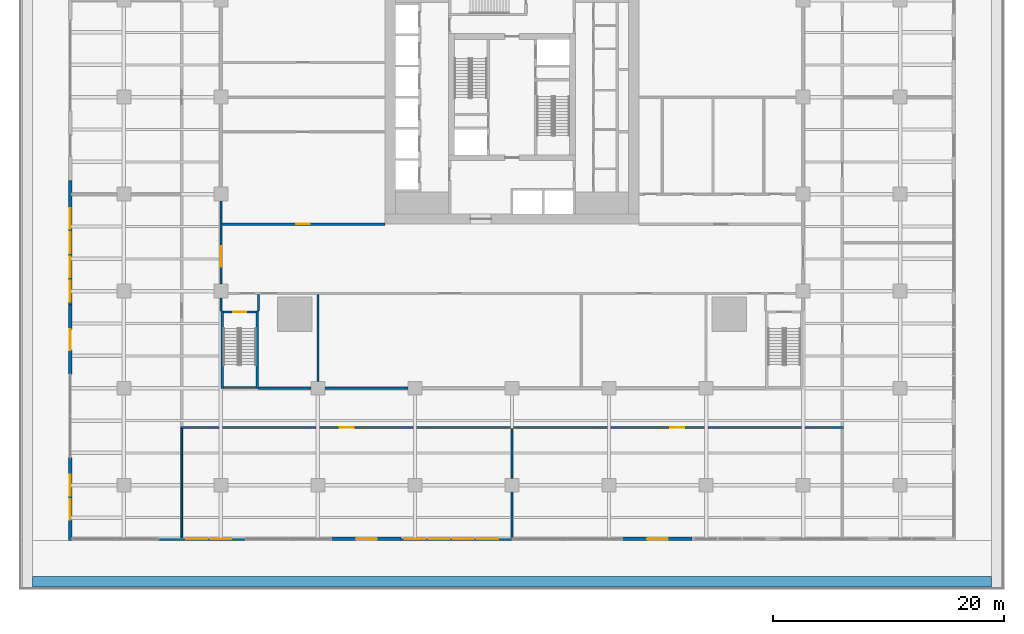
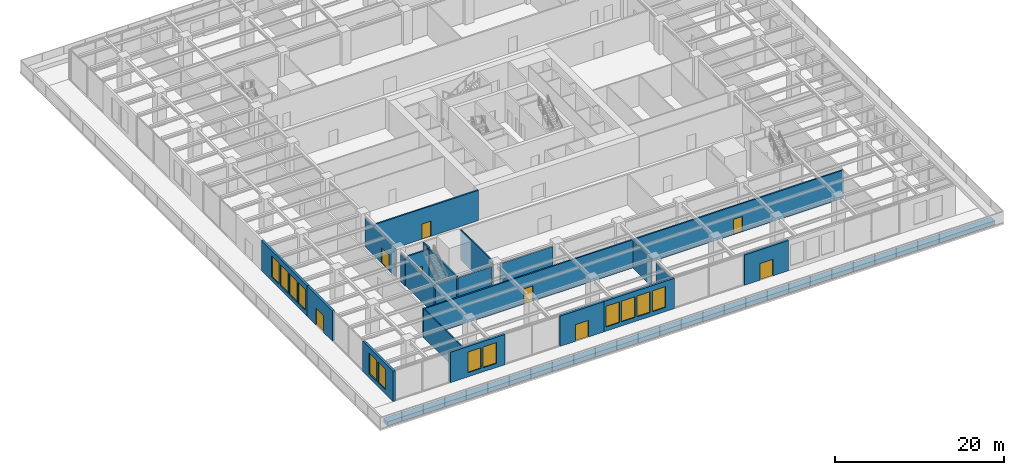
# One storey, part 16 of 32: 23 walls, 12 windows, 8 doors, 20 openings.
"""IFC4 building model written with IfcOpenShell, lengths in metres."""

import ifcopenshell
import ifcopenshell.guid

model = None  # the IFC model being written
_history = None  # IfcOwnerHistory: only IFC2X3 demands one
_inside = {}  # id of a spatial element -> (the spatial element, [elements in it])
_under = {}  # id of a project, library or spatial element -> (it, [spatial elements below it])
_declared = {}  # id of a project -> (the project, [libraries it declares])
_typed = {}  # id of a type object -> (the type object, [elements of that type])
_made_of = {}  # id of a material, layer set ... -> (it, [elements and type objects made of it])


def new_model(schema):
    """Start an empty IFC model of exactly this schema.

    Asked for "IFC4X3", IfcOpenShell would pick the latest addendum, in which some entities
    have other attributes; the version numbers below select the first issue.
    IFC2X3 requires an IfcOwnerHistory on every rooted entity: one is made here for all.
    """
    global model, _history
    if schema == "IFC4X3":
        model = ifcopenshell.file(schema_version=(4, 3, 0, 0))
    else:
        model = ifcopenshell.file(schema=schema)
    _inside.clear()
    _under.clear()
    _declared.clear()
    _typed.clear()
    _made_of.clear()
    _history = None
    if model.schema == "IFC2X3":
        org = make("IfcOrganization", Name="unknown")
        user = make(
            "IfcPersonAndOrganization",
            ThePerson=make("IfcPerson", FamilyName="unknown"),
            TheOrganization=org,
        )
        app = make(
            "IfcApplication",
            ApplicationDeveloper=org,
            Version="unknown",
            ApplicationFullName="unknown",
            ApplicationIdentifier="unknown",
        )
        _history = make(
            "IfcOwnerHistory",
            OwningUser=user,
            OwningApplication=app,
            ChangeAction="ADDED",
            CreationDate=0,
        )
    return model


def make(cls, **values):
    """One entity of the class cls with the attributes given. An attribute that is None is left unset."""
    return model.create_entity(
        cls, **{name: value for name, value in values.items() if value is not None}
    )


def rooted(cls, **values):
    """An entity with a GlobalId (a new one), such as an element, a storey or a relation."""
    return make(cls, GlobalId=ifcopenshell.guid.new(), OwnerHistory=_history, **values)


def si_unit(unit_type, name, prefix=None):
    """IfcSIUnit, for example si_unit("LENGTHUNIT", "METRE", prefix="MILLI")."""
    return make("IfcSIUnit", UnitType=unit_type, Prefix=prefix, Name=name)


def assignment(units):
    """IfcUnitAssignment: the units of a project."""
    return None if units is None else make("IfcUnitAssignment", Units=units)


def point(xyz):
    """IfcCartesianPoint."""
    return None if xyz is None else make("IfcCartesianPoint", Coordinates=xyz)


def direction(xyz):
    """IfcDirection."""
    return None if xyz is None else make("IfcDirection", DirectionRatios=xyz)


def frame(location, z_axis=None, x_axis=None):
    """IfcAxis2Placement3D, a coordinate frame: its origin and axes. An axis left out is left unset."""
    return make(
        "IfcAxis2Placement3D",
        Location=point(location),
        Axis=direction(z_axis),
        RefDirection=direction(x_axis),
    )


def frame_2d(location, x_axis=None):
    """IfcAxis2Placement2D, a coordinate frame in the plane: its origin and x axis."""
    return make(
        "IfcAxis2Placement2D", Location=point(location), RefDirection=direction(x_axis)
    )


def origin():
    """The frame at (0, 0, 0) with its axes left unset."""
    return frame((0.0, 0.0, 0.0))


def place(relative_to, where):
    """IfcLocalPlacement: puts the frame where relative to a parent placement (None: the world)."""
    return make(
        "IfcLocalPlacement", PlacementRelTo=relative_to, RelativePlacement=where
    )


def context(
    kind, dimensions, precision=None, world=None, true_north=None, identifier=None
):
    """IfcGeometricRepresentationContext, for example the 3D "Model" context."""
    return make(
        "IfcGeometricRepresentationContext",
        ContextIdentifier=identifier,
        ContextType=kind,
        CoordinateSpaceDimension=dimensions,
        Precision=precision,
        WorldCoordinateSystem=world,
        TrueNorth=true_north,
    )


def subcontext(parent, identifier, kind, view, scale=None):
    """IfcGeometricRepresentationSubContext, for example "Body" below "Model"."""
    return make(
        "IfcGeometricRepresentationSubContext",
        ContextIdentifier=identifier,
        ContextType=kind,
        ParentContext=parent,
        TargetScale=scale,
        TargetView=view,
    )


def project(units=None, contexts=None):
    """IfcProject with its units and contexts."""
    return rooted(
        "IfcProject",
        Name="project",
        RepresentationContexts=contexts,
        UnitsInContext=assignment(units),
    )


def spatial(cls, under=None, at=None, **own):
    """A site, building, storey or space (cls), placed at a placement, below another one or the project."""
    s = rooted(cls, ObjectPlacement=at, **own)
    if under is not None:
        _under.setdefault(under.id(), (under, []))[1].append(s)
    return s


def profile(cls, at=None, kind="AREA", **sizes):
    """A parametric profile (cls). Its sizes go by their IFC names, for example OverallWidth=200.0."""
    return make(cls, ProfileType=kind, Position=at, **sizes)


def rectangle(**sizes):
    """IfcRectangleProfileDef."""
    return profile("IfcRectangleProfileDef", **sizes)


def extrude(swept, where, along, depth):
    """IfcExtrudedAreaSolid: the profile swept, set in the frame where, extruded along a direction by depth."""
    return make(
        "IfcExtrudedAreaSolid",
        SweptArea=swept,
        Position=where,
        ExtrudedDirection=direction(along),
        Depth=depth,
    )


def shape(context_of_items, identifier, shape_type, items):
    """IfcShapeRepresentation: the items that make up one representation, for example the "Body"."""
    return make(
        "IfcShapeRepresentation",
        ContextOfItems=context_of_items,
        RepresentationIdentifier=identifier,
        RepresentationType=shape_type,
        Items=items,
    )


def material(Name=None, Category=None):
    """IfcMaterial."""
    return make("IfcMaterial", Name=Name, Category=Category)


def layer(
    of_material, thickness, ventilated=None, Name=None, Category=None, Priority=None
):
    """IfcMaterialLayer: one layer of a wall or slab, of a material (None: an air gap)."""
    return make(
        "IfcMaterialLayer",
        Material=of_material,
        LayerThickness=thickness,
        IsVentilated=ventilated,
        Name=Name,
        Category=Category,
        Priority=Priority,
    )


def layer_set(layers, Name=None):
    """IfcMaterialLayerSet."""
    return make("IfcMaterialLayerSet", MaterialLayers=layers, LayerSetName=Name)


def made_of(thing, what):
    """Note that an element or type object is made of a material, layer set ...; save() writes the relation."""
    if what is not None:
        _made_of.setdefault(what.id(), (what, []))[1].append(thing)
    return thing


def type_object(cls, material=None, **own):
    """A type object (cls), such as IfcWallType, which elements share."""
    return made_of(rooted(cls, **own), material)


def element(
    cls,
    number,
    at=None,
    inside=None,
    cuts=None,
    type_object=None,
    material=None,
    context=None,
    identifier="Body",
    shape_type=None,
    held_by="IfcProductDefinitionShape",
    body=None,
    shapes=None,
    **own,
):
    """One element of the class cls, such as IfcWall. Its Tag is "e" and its number.

    at: its placement. inside: the storey or other place that contains it. cuts: it is an
    opening in that element (IfcRelVoidsElement). A single representation is given by context,
    identifier, shape_type and body (its items); several are given by shapes. held_by: the class
    of the entity that holds the representations. save() writes the other relations.
    """
    e = rooted(cls, Tag="e%d" % number, ObjectPlacement=at, **own)
    if body is not None:
        shapes = [shape(context, identifier, shape_type, body)]
    if shapes is not None:
        e.Representation = make(held_by, Representations=shapes)
    if inside is not None:
        _inside.setdefault(inside.id(), (inside, []))[1].append(e)
    if cuts is not None:
        rooted(
            "IfcRelVoidsElement", RelatingBuildingElement=cuts, RelatedOpeningElement=e
        )
    if type_object is not None:
        _typed.setdefault(type_object.id(), (type_object, []))[1].append(e)
    return made_of(e, material)


def fill(opening, filler):
    """IfcRelFillsElement: the door or window that sits in an opening."""
    return rooted(
        "IfcRelFillsElement",
        RelatingOpeningElement=opening,
        RelatedBuildingElement=filler,
    )


def aggregate(whole, parts):
    """IfcRelAggregates: a whole, such as a stair, and the parts it consists of."""
    return rooted("IfcRelAggregates", RelatingObject=whole, RelatedObjects=parts)


def save(model, path):
    """Write the relations noted so far, then the file.

    IfcRelAggregates (storeys below a building ...), IfcRelContainedInSpatialStructure (elements
    in a storey), IfcRelDefinesByType, IfcRelAssociatesMaterial and IfcRelDeclares: one each for
    every whole, place, type object, material and project.
    """
    for whole, parts in _under.values():
        aggregate(whole, parts)
    for where, things in _inside.values():
        rooted(
            "IfcRelContainedInSpatialStructure",
            RelatedElements=things,
            RelatingStructure=where,
        )
    for kind, things in _typed.values():
        rooted("IfcRelDefinesByType", RelatedObjects=things, RelatingType=kind)
    for what, things in _made_of.values():
        rooted("IfcRelAssociatesMaterial", RelatedObjects=things, RelatingMaterial=what)
    for by, libraries in _declared.values():
        rooted("IfcRelDeclares", RelatingContext=by, RelatedDefinitions=libraries)
    model.write(path)


model = new_model("IFC4")

# Units and contexts
model_context = context("Model", 3, precision=1e-05, world=origin(), true_north=direction((0.0, 1.0)))
body_context = subcontext(model_context, "Body", "Model", "MODEL_VIEW")
ifc_project = project(units=[si_unit("LENGTHUNIT", "METRE"), si_unit("AREAUNIT", "SQUARE_METRE"), si_unit("VOLUMEUNIT", "CUBIC_METRE"), si_unit("PLANEANGLEUNIT", "RADIAN"), si_unit("MASSUNIT", "GRAM", prefix="KILO")], contexts=[model_context])

# Site, building, storey
site_placement = place(None, origin())
site = spatial("IfcSite", under=ifc_project, at=site_placement, CompositionType="ELEMENT")
building_placement = place(site_placement, origin())
building = spatial("IfcBuilding", under=site, at=building_placement, Name="Khepri Terraces", CompositionType="ELEMENT")
storey_placement = place(building_placement, frame((0.0, 0.0, 12.0)))
storey = spatial("IfcBuildingStorey", under=building, at=storey_placement, Name="L02", CompositionType="ELEMENT", Elevation=12.0)

# Wall, openings, windows
ifc_material_1 = material(Name="Precast concrete C50/60 warm stone", Category="masonry")
ifc_layer_1 = layer(ifc_material_1, 0.300048828125, Name="Precast concrete C50/60 warm stone", Category="masonry")
ifc_layer_set_1 = layer_set([ifc_layer_1], Name="Precast concrete C50/60 warm stone")
wall_type_1 = type_object("IfcWallType", Name="WL-EXT-PRECAST-300", PredefinedType="STANDARD", material=ifc_layer_set_1)
wall_1_placement = place(storey_placement, frame((-30.60009765625, -38.25, 0.0), z_axis=(0.0, 0.0, 1.0), x_axis=(1.0, 0.0, 0.0)))
wall_1 = element("IfcWall", 1, at=wall_1_placement, inside=storey, type_object=wall_type_1, Name="External wall L02 S", PredefinedType="STANDARD", context=body_context, shape_type="SweptSolid", body=[
    extrude(rectangle(XDim=7.5, YDim=0.300048828125, at=frame_2d((3.75, 0.0))), origin(), (0.0, 0.0, 1.0), 4.3798828125),
])
opening_1_placement = place(wall_1_placement, frame((2.39990234375, 0.0, 0.60009765625)))
opening_1 = element("IfcOpeningElement", 2, at=opening_1_placement, cuts=wall_1, Name="Opening WP1", PredefinedType="OPENING", context=body_context, shape_type="SweptSolid", body=[
    extrude(rectangle(XDim=1.800048828125, YDim=3.0, at=frame_2d((0.89990234375, 1.5))), frame((0.0, 0.16015625, 0.0), z_axis=(0.0, -1.0, 0.0), x_axis=(1.0, 0.0, 0.0)), (0.0, 0.0, 1.0), 0.320068359375),
])
opening_2_placement = place(wall_1_placement, frame((4.5, 0.0, 0.60009765625)))
opening_2 = element("IfcOpeningElement", 3, at=opening_2_placement, cuts=wall_1, Name="Opening WP1", PredefinedType="OPENING", context=body_context, shape_type="SweptSolid", body=[
    extrude(rectangle(XDim=1.800048828125, YDim=3.0, at=frame_2d((0.89990234375, 1.5))), frame((0.0, 0.16015625, 0.0), z_axis=(0.0, -1.0, 0.0), x_axis=(1.0, 0.0, 0.0)), (0.0, 0.0, 1.0), 0.320068359375),
])
ifc_material_2 = material(Name="Clear glass", Category="glass")
window_type = type_object("IfcWindowType", Name="WIN-POD-1800x3000", PartitioningType="SINGLE_PANEL", PredefinedType="WINDOW", material=ifc_material_2)
window_1_placement = place(opening_1_placement, origin())
window_1 = element("IfcWindow", 4, at=window_1_placement, inside=storey, type_object=window_type, Name="Window L02 S", OverallHeight=3.0, OverallWidth=1.800048828125, PartitioningType="SINGLE_PANEL", PredefinedType="WINDOW", context=body_context, shape_type="SweptSolid", body=[
    extrude(rectangle(XDim=1.800048828125, YDim=3.0, at=frame_2d((0.89990234375, 1.5))), frame((0.0, 0.030029296875, 0.0), z_axis=(0.0, -1.0, 0.0), x_axis=(1.0, 0.0, 0.0)), (0.0, 0.0, 1.0), 0.06005859375),
])
fill(opening_1, window_1)
window_2_placement = place(opening_2_placement, origin())
window_2 = element("IfcWindow", 5, at=window_2_placement, inside=storey, type_object=window_type, Name="Window L02 S", OverallHeight=3.0, OverallWidth=1.800048828125, PartitioningType="SINGLE_PANEL", PredefinedType="WINDOW", context=body_context, shape_type="SweptSolid", body=[
    extrude(rectangle(XDim=1.800048828125, YDim=3.0, at=frame_2d((0.89990234375, 1.5))), frame((0.0, 0.030029296875, 0.0), z_axis=(0.0, -1.0, 0.0), x_axis=(1.0, 0.0, 0.0)), (0.0, 0.0, 1.0), 0.06005859375),
])
fill(opening_2, window_2)

# Wall, opening, door
wall_2_placement = place(storey_placement, frame((-15.60009765625, -38.25, 0.0), z_axis=(0.0, 0.0, 1.0), x_axis=(1.0, 0.0, 0.0)))
wall_2 = element("IfcWall", 6, at=wall_2_placement, inside=storey, type_object=wall_type_1, Name="External wall L02 S", PredefinedType="STANDARD", context=body_context, shape_type="SweptSolid", body=[
    extrude(rectangle(XDim=6.0, YDim=0.300048828125, at=frame_2d((3.0, 0.0))), origin(), (0.0, 0.0, 1.0), 4.3798828125),
])
opening_3_placement = place(wall_2_placement, frame((2.10009765625, 0.0, 0.0)))
opening_3 = element("IfcOpeningElement", 7, at=opening_3_placement, cuts=wall_2, Name="Opening ED-L02-01", PredefinedType="OPENING", context=body_context, shape_type="SweptSolid", body=[
    extrude(rectangle(XDim=1.800048828125, YDim=2.39990234375, at=frame_2d((0.89990234375, 1.199951171875))), frame((0.0, 0.16015625, 0.0), z_axis=(0.0, -1.0, 0.0), x_axis=(1.0, 0.0, 0.0)), (0.0, 0.0, 1.0), 0.320068359375),
])
ifc_material_3 = material(Name="Anodised aluminium bronze glazed door", Category="aluminium")
door_type_1 = type_object("IfcDoorType", Name="DR-BAL-SLIDE-1800x2400", OperationType="NOTDEFINED", PredefinedType="DOOR", material=ifc_material_3)
door_1_placement = place(opening_3_placement, origin())
door_1 = element("IfcDoor", 8, at=door_1_placement, inside=storey, type_object=door_type_1, Name="Balcony door L02 S", OperationType="SLIDING_TO_RIGHT", OverallHeight=2.39990234375, OverallWidth=1.800048828125, PredefinedType="DOOR", context=body_context, shape_type="SweptSolid", body=[
    extrude(rectangle(XDim=1.800048828125, YDim=2.39990234375, at=frame_2d((0.89990234375, 1.199951171875))), frame((0.0, 0.02490234375, 0.0), z_axis=(0.0, -1.0, 0.0), x_axis=(1.0, 0.0, 0.0)), (0.0, 0.0, 1.0), 0.050048828125),
])
fill(opening_3, door_1)

# Wall, openings, windows
wall_3_placement = place(storey_placement, frame((-9.60009765625, -38.25, 0.0), z_axis=(0.0, 0.0, 1.0), x_axis=(1.0, 0.0, 0.0)))
wall_3 = element("IfcWall", 9, at=wall_3_placement, inside=storey, type_object=wall_type_1, Name="External wall L02 S", PredefinedType="STANDARD", context=body_context, shape_type="SweptSolid", body=[
    extrude(rectangle(XDim=9.60009765625, YDim=0.300048828125, at=frame_2d((4.800048828125, 0.0))), origin(), (0.0, 0.0, 1.0), 4.3798828125),
])
opening_4_placement = place(wall_3_placement, frame((0.300048828125, 0.0, 0.60009765625)))
opening_4 = element("IfcOpeningElement", 10, at=opening_4_placement, cuts=wall_3, Name="Opening WP1", PredefinedType="OPENING", context=body_context, shape_type="SweptSolid", body=[
    extrude(rectangle(XDim=1.800048828125, YDim=3.0, at=frame_2d((0.89990234375, 1.5))), frame((0.0, 0.16015625, 0.0), z_axis=(0.0, -1.0, 0.0), x_axis=(1.0, 0.0, 0.0)), (0.0, 0.0, 1.0), 0.320068359375),
])
opening_5_placement = place(wall_3_placement, frame((2.39990234375, 0.0, 0.60009765625)))
opening_5 = element("IfcOpeningElement", 11, at=opening_5_placement, cuts=wall_3, Name="Opening WP1", PredefinedType="OPENING", context=body_context, shape_type="SweptSolid", body=[
    extrude(rectangle(XDim=1.800048828125, YDim=3.0, at=frame_2d((0.89990234375, 1.5))), frame((0.0, 0.16015625, 0.0), z_axis=(0.0, -1.0, 0.0), x_axis=(1.0, 0.0, 0.0)), (0.0, 0.0, 1.0), 0.320068359375),
])
opening_6_placement = place(wall_3_placement, frame((4.5, 0.0, 0.60009765625)))
opening_6 = element("IfcOpeningElement", 12, at=opening_6_placement, cuts=wall_3, Name="Opening WP1", PredefinedType="OPENING", context=body_context, shape_type="SweptSolid", body=[
    extrude(rectangle(XDim=1.800048828125, YDim=3.0, at=frame_2d((0.89990234375, 1.5))), frame((0.0, 0.16015625, 0.0), z_axis=(0.0, -1.0, 0.0), x_axis=(1.0, 0.0, 0.0)), (0.0, 0.0, 1.0), 0.320068359375),
])
opening_7_placement = place(wall_3_placement, frame((6.60009765625, 0.0, 0.60009765625)))
opening_7 = element("IfcOpeningElement", 13, at=opening_7_placement, cuts=wall_3, Name="Opening WP1", PredefinedType="OPENING", context=body_context, shape_type="SweptSolid", body=[
    extrude(rectangle(XDim=1.800048828125, YDim=3.0, at=frame_2d((0.89990234375, 1.5))), frame((0.0, 0.16015625, 0.0), z_axis=(0.0, -1.0, 0.0), x_axis=(1.0, 0.0, 0.0)), (0.0, 0.0, 1.0), 0.320068359375),
])
window_3_placement = place(opening_4_placement, origin())
window_3 = element("IfcWindow", 14, at=window_3_placement, inside=storey, type_object=window_type, Name="Window L02 S", OverallHeight=3.0, OverallWidth=1.800048828125, PartitioningType="SINGLE_PANEL", PredefinedType="WINDOW", context=body_context, shape_type="SweptSolid", body=[
    extrude(rectangle(XDim=1.800048828125, YDim=3.0, at=frame_2d((0.89990234375, 1.5))), frame((0.0, 0.030029296875, 0.0), z_axis=(0.0, -1.0, 0.0), x_axis=(1.0, 0.0, 0.0)), (0.0, 0.0, 1.0), 0.06005859375),
])
fill(opening_4, window_3)
window_4_placement = place(opening_5_placement, origin())
window_4 = element("IfcWindow", 15, at=window_4_placement, inside=storey, type_object=window_type, Name="Window L02 S", OverallHeight=3.0, OverallWidth=1.800048828125, PartitioningType="SINGLE_PANEL", PredefinedType="WINDOW", context=body_context, shape_type="SweptSolid", body=[
    extrude(rectangle(XDim=1.800048828125, YDim=3.0, at=frame_2d((0.89990234375, 1.5))), frame((0.0, 0.030029296875, 0.0), z_axis=(0.0, -1.0, 0.0), x_axis=(1.0, 0.0, 0.0)), (0.0, 0.0, 1.0), 0.06005859375),
])
fill(opening_5, window_4)
window_5_placement = place(opening_6_placement, origin())
window_5 = element("IfcWindow", 16, at=window_5_placement, inside=storey, type_object=window_type, Name="Window L02 S", OverallHeight=3.0, OverallWidth=1.800048828125, PartitioningType="SINGLE_PANEL", PredefinedType="WINDOW", context=body_context, shape_type="SweptSolid", body=[
    extrude(rectangle(XDim=1.800048828125, YDim=3.0, at=frame_2d((0.89990234375, 1.5))), frame((0.0, 0.030029296875, 0.0), z_axis=(0.0, -1.0, 0.0), x_axis=(1.0, 0.0, 0.0)), (0.0, 0.0, 1.0), 0.06005859375),
])
fill(opening_6, window_5)
window_6_placement = place(opening_7_placement, origin())
window_6 = element("IfcWindow", 17, at=window_6_placement, inside=storey, type_object=window_type, Name="Window L02 S", OverallHeight=3.0, OverallWidth=1.800048828125, PartitioningType="SINGLE_PANEL", PredefinedType="WINDOW", context=body_context, shape_type="SweptSolid", body=[
    extrude(rectangle(XDim=1.800048828125, YDim=3.0, at=frame_2d((0.89990234375, 1.5))), frame((0.0, 0.030029296875, 0.0), z_axis=(0.0, -1.0, 0.0), x_axis=(1.0, 0.0, 0.0)), (0.0, 0.0, 1.0), 0.06005859375),
])
fill(opening_7, window_6)

# Wall, opening, door
wall_4_placement = place(storey_placement, frame((9.60009765625, -38.25, 0.0), z_axis=(0.0, 0.0, 1.0), x_axis=(1.0, 0.0, 0.0)))
wall_4 = element("IfcWall", 18, at=wall_4_placement, inside=storey, type_object=wall_type_1, Name="External wall L02 S", PredefinedType="STANDARD", context=body_context, shape_type="SweptSolid", body=[
    extrude(rectangle(XDim=6.0, YDim=0.300048828125, at=frame_2d((3.0, 0.0))), origin(), (0.0, 0.0, 1.0), 4.3798828125),
])
opening_8_placement = place(wall_4_placement, frame((2.10009765625, 0.0, 0.0)))
opening_8 = element("IfcOpeningElement", 19, at=opening_8_placement, cuts=wall_4, Name="Opening ED-L02-02", PredefinedType="OPENING", context=body_context, shape_type="SweptSolid", body=[
    extrude(rectangle(XDim=1.800048828125, YDim=2.39990234375, at=frame_2d((0.89990234375, 1.199951171875))), frame((0.0, 0.16015625, 0.0), z_axis=(0.0, -1.0, 0.0), x_axis=(1.0, 0.0, 0.0)), (0.0, 0.0, 1.0), 0.320068359375),
])
door_2_placement = place(opening_8_placement, origin())
door_2 = element("IfcDoor", 20, at=door_2_placement, inside=storey, type_object=door_type_1, Name="Balcony door L02 S", OperationType="SLIDING_TO_RIGHT", OverallHeight=2.39990234375, OverallWidth=1.800048828125, PredefinedType="DOOR", context=body_context, shape_type="SweptSolid", body=[
    extrude(rectangle(XDim=1.800048828125, YDim=2.39990234375, at=frame_2d((0.89990234375, 1.199951171875))), frame((0.0, 0.02490234375, 0.0), z_axis=(0.0, -1.0, 0.0), x_axis=(1.0, 0.0, 0.0)), (0.0, 0.0, 1.0), 0.050048828125),
])
fill(opening_8, door_2)

# Wall, openings, windows
wall_5_placement = place(storey_placement, frame((-38.25, -7.199951171875, 0.0), z_axis=(0.0, 0.0, 1.0), x_axis=(0.0, -1.0, 0.0)))
wall_5 = element("IfcWall", 21, at=wall_5_placement, inside=storey, type_object=wall_type_1, Name="External wall L02 W", PredefinedType="STANDARD", context=body_context, shape_type="SweptSolid", body=[
    extrude(rectangle(XDim=10.800048828125, YDim=0.300048828125, at=frame_2d((5.39990234375, 0.0))), origin(), (0.0, 0.0, 1.0), 4.3798828125),
])
opening_9_placement = place(wall_5_placement, frame((2.39990234375, 0.0, 0.60009765625)))
opening_9 = element("IfcOpeningElement", 22, at=opening_9_placement, cuts=wall_5, Name="Opening WP1", PredefinedType="OPENING", context=body_context, shape_type="SweptSolid", body=[
    extrude(rectangle(XDim=1.800048828125, YDim=3.0, at=frame_2d((0.89990234375, 1.5))), frame((0.0, 0.16015625, 0.0), z_axis=(0.0, -1.0, 0.0), x_axis=(1.0, 0.0, 0.0)), (0.0, 0.0, 1.0), 0.320068359375),
])
opening_10_placement = place(wall_5_placement, frame((4.5, 0.0, 0.60009765625)))
opening_10 = element("IfcOpeningElement", 23, at=opening_10_placement, cuts=wall_5, Name="Opening WP1", PredefinedType="OPENING", context=body_context, shape_type="SweptSolid", body=[
    extrude(rectangle(XDim=1.800048828125, YDim=3.0, at=frame_2d((0.89990234375, 1.5))), frame((0.0, 0.16015625, 0.0), z_axis=(0.0, -1.0, 0.0), x_axis=(1.0, 0.0, 0.0)), (0.0, 0.0, 1.0), 0.320068359375),
])
opening_11_placement = place(wall_5_placement, frame((6.60009765625, 0.0, 0.60009765625)))
opening_11 = element("IfcOpeningElement", 24, at=opening_11_placement, cuts=wall_5, Name="Opening WP1", PredefinedType="OPENING", context=body_context, shape_type="SweptSolid", body=[
    extrude(rectangle(XDim=1.800048828125, YDim=3.0, at=frame_2d((0.89990234375, 1.5))), frame((0.0, 0.16015625, 0.0), z_axis=(0.0, -1.0, 0.0), x_axis=(1.0, 0.0, 0.0)), (0.0, 0.0, 1.0), 0.320068359375),
])
opening_12_placement = place(wall_5_placement, frame((8.699951171875, 0.0, 0.60009765625)))
opening_12 = element("IfcOpeningElement", 25, at=opening_12_placement, cuts=wall_5, Name="Opening WP1", PredefinedType="OPENING", context=body_context, shape_type="SweptSolid", body=[
    extrude(rectangle(XDim=1.800048828125, YDim=3.0, at=frame_2d((0.89990234375, 1.5))), frame((0.0, 0.16015625, 0.0), z_axis=(0.0, -1.0, 0.0), x_axis=(1.0, 0.0, 0.0)), (0.0, 0.0, 1.0), 0.320068359375),
])
window_7_placement = place(opening_9_placement, origin())
window_7 = element("IfcWindow", 26, at=window_7_placement, inside=storey, type_object=window_type, Name="Window L02 W", OverallHeight=3.0, OverallWidth=1.800048828125, PartitioningType="SINGLE_PANEL", PredefinedType="WINDOW", context=body_context, shape_type="SweptSolid", body=[
    extrude(rectangle(XDim=1.800048828125, YDim=3.0, at=frame_2d((0.89990234375, 1.5))), frame((0.0, 0.030029296875, 0.0), z_axis=(0.0, -1.0, 0.0), x_axis=(1.0, 0.0, 0.0)), (0.0, 0.0, 1.0), 0.06005859375),
])
fill(opening_9, window_7)
window_8_placement = place(opening_10_placement, origin())
window_8 = element("IfcWindow", 27, at=window_8_placement, inside=storey, type_object=window_type, Name="Window L02 W", OverallHeight=3.0, OverallWidth=1.800048828125, PartitioningType="SINGLE_PANEL", PredefinedType="WINDOW", context=body_context, shape_type="SweptSolid", body=[
    extrude(rectangle(XDim=1.800048828125, YDim=3.0, at=frame_2d((0.89990234375, 1.5))), frame((0.0, 0.030029296875, 0.0), z_axis=(0.0, -1.0, 0.0), x_axis=(1.0, 0.0, 0.0)), (0.0, 0.0, 1.0), 0.06005859375),
])
fill(opening_10, window_8)
window_9_placement = place(opening_11_placement, origin())
window_9 = element("IfcWindow", 28, at=window_9_placement, inside=storey, type_object=window_type, Name="Window L02 W", OverallHeight=3.0, OverallWidth=1.800048828125, PartitioningType="SINGLE_PANEL", PredefinedType="WINDOW", context=body_context, shape_type="SweptSolid", body=[
    extrude(rectangle(XDim=1.800048828125, YDim=3.0, at=frame_2d((0.89990234375, 1.5))), frame((0.0, 0.030029296875, 0.0), z_axis=(0.0, -1.0, 0.0), x_axis=(1.0, 0.0, 0.0)), (0.0, 0.0, 1.0), 0.06005859375),
])
fill(opening_11, window_9)
window_10_placement = place(opening_12_placement, origin())
window_10 = element("IfcWindow", 29, at=window_10_placement, inside=storey, type_object=window_type, Name="Window L02 W", OverallHeight=3.0, OverallWidth=1.800048828125, PartitioningType="SINGLE_PANEL", PredefinedType="WINDOW", context=body_context, shape_type="SweptSolid", body=[
    extrude(rectangle(XDim=1.800048828125, YDim=3.0, at=frame_2d((0.89990234375, 1.5))), frame((0.0, 0.030029296875, 0.0), z_axis=(0.0, -1.0, 0.0), x_axis=(1.0, 0.0, 0.0)), (0.0, 0.0, 1.0), 0.06005859375),
])
fill(opening_12, window_10)

# Wall, opening, door
wall_6_placement = place(storey_placement, frame((-38.25, -18.0, 0.0), z_axis=(0.0, 0.0, 1.0), x_axis=(0.0, -1.0, 0.0)))
wall_6 = element("IfcWall", 30, at=wall_6_placement, inside=storey, type_object=wall_type_1, Name="External wall L02 W", PredefinedType="STANDARD", context=body_context, shape_type="SweptSolid", body=[
    extrude(rectangle(XDim=6.0, YDim=0.300048828125, at=frame_2d((3.0, 0.0))), origin(), (0.0, 0.0, 1.0), 4.3798828125),
])
opening_13_placement = place(wall_6_placement, frame((2.10009765625, 0.0, 0.0)))
opening_13 = element("IfcOpeningElement", 31, at=opening_13_placement, cuts=wall_6, Name="Opening ED-L02-12", PredefinedType="OPENING", context=body_context, shape_type="SweptSolid", body=[
    extrude(rectangle(XDim=1.800048828125, YDim=2.39990234375, at=frame_2d((0.89990234375, 1.199951171875))), frame((0.0, 0.16015625, 0.0), z_axis=(0.0, -1.0, 0.0), x_axis=(1.0, 0.0, 0.0)), (0.0, 0.0, 1.0), 0.320068359375),
])
door_3_placement = place(opening_13_placement, origin())
door_3 = element("IfcDoor", 32, at=door_3_placement, inside=storey, type_object=door_type_1, Name="Balcony door L02 W", OperationType="SLIDING_TO_LEFT", OverallHeight=2.39990234375, OverallWidth=1.800048828125, PredefinedType="DOOR", context=body_context, shape_type="SweptSolid", body=[
    extrude(rectangle(XDim=1.800048828125, YDim=2.39990234375, at=frame_2d((0.89990234375, 1.199951171875))), frame((0.0, 0.02490234375, 0.0), z_axis=(0.0, -1.0, 0.0), x_axis=(1.0, 0.0, 0.0)), (0.0, 0.0, 1.0), 0.050048828125),
])
fill(opening_13, door_3)

# Wall, openings, windows
wall_7_placement = place(storey_placement, frame((-38.25, -31.199951171875, 0.0), z_axis=(0.0, 0.0, 1.0), x_axis=(0.0, -1.0, 0.0)))
wall_7 = element("IfcWall", 33, at=wall_7_placement, inside=storey, type_object=wall_type_1, Name="External wall L02 W", PredefinedType="STANDARD", context=body_context, shape_type="SweptSolid", body=[
    extrude(rectangle(XDim=7.199951171875, YDim=0.300048828125, at=frame_2d((3.60009765625, 0.0))), origin(), (0.0, 0.0, 1.0), 4.3798828125),
])
opening_14_placement = place(wall_7_placement, frame((1.5, 0.0, 0.60009765625)))
opening_14 = element("IfcOpeningElement", 34, at=opening_14_placement, cuts=wall_7, Name="Opening WP1", PredefinedType="OPENING", context=body_context, shape_type="SweptSolid", body=[
    extrude(rectangle(XDim=1.800048828125, YDim=3.0, at=frame_2d((0.89990234375, 1.5))), frame((0.0, 0.16015625, 0.0), z_axis=(0.0, -1.0, 0.0), x_axis=(1.0, 0.0, 0.0)), (0.0, 0.0, 1.0), 0.320068359375),
])
opening_15_placement = place(wall_7_placement, frame((3.60009765625, 0.0, 0.60009765625)))
opening_15 = element("IfcOpeningElement", 35, at=opening_15_placement, cuts=wall_7, Name="Opening WP1", PredefinedType="OPENING", context=body_context, shape_type="SweptSolid", body=[
    extrude(rectangle(XDim=1.800048828125, YDim=3.0, at=frame_2d((0.89990234375, 1.5))), frame((0.0, 0.16015625, 0.0), z_axis=(0.0, -1.0, 0.0), x_axis=(1.0, 0.0, 0.0)), (0.0, 0.0, 1.0), 0.320068359375),
])
window_11_placement = place(opening_14_placement, origin())
window_11 = element("IfcWindow", 36, at=window_11_placement, inside=storey, type_object=window_type, Name="Window L02 W", OverallHeight=3.0, OverallWidth=1.800048828125, PartitioningType="SINGLE_PANEL", PredefinedType="WINDOW", context=body_context, shape_type="SweptSolid", body=[
    extrude(rectangle(XDim=1.800048828125, YDim=3.0, at=frame_2d((0.89990234375, 1.5))), frame((0.0, 0.030029296875, 0.0), z_axis=(0.0, -1.0, 0.0), x_axis=(1.0, 0.0, 0.0)), (0.0, 0.0, 1.0), 0.06005859375),
])
fill(opening_14, window_11)
window_12_placement = place(opening_15_placement, origin())
window_12 = element("IfcWindow", 37, at=window_12_placement, inside=storey, type_object=window_type, Name="Window L02 W", OverallHeight=3.0, OverallWidth=1.800048828125, PartitioningType="SINGLE_PANEL", PredefinedType="WINDOW", context=body_context, shape_type="SweptSolid", body=[
    extrude(rectangle(XDim=1.800048828125, YDim=3.0, at=frame_2d((0.89990234375, 1.5))), frame((0.0, 0.030029296875, 0.0), z_axis=(0.0, -1.0, 0.0), x_axis=(1.0, 0.0, 0.0)), (0.0, 0.0, 1.0), 0.06005859375),
])
fill(opening_15, window_12)

# Walls
ifc_layer_2 = layer(ifc_material_1, 0.89990234375, Name="Precast concrete C50/60 warm stone", Category="masonry")
ifc_layer_set_2 = layer_set([ifc_layer_2], Name="Precast concrete C50/60 warm stone")
wall_type_2 = type_object("IfcWallType", Name="WL-PLANTER-900", PredefinedType="MOVABLE", material=ifc_layer_set_2)
wall_8_placement = place(storey_placement, frame((-41.5, -41.949951171875, 0.0), z_axis=(0.0, 0.0, 1.0), x_axis=(1.0, 0.0, 0.0)))
element("IfcWall", 38, at=wall_8_placement, inside=storey, type_object=wall_type_2, Name="Planter L02", PredefinedType="MOVABLE", context=body_context, shape_type="SweptSolid", body=[
    extrude(rectangle(XDim=83.0, YDim=0.89990234375, at=frame_2d((41.5, 0.0))), origin(), (0.0, 0.0, 1.0), 0.60009765625),
])
ifc_material_4 = material(Name="Gypsum board partition")
ifc_layer_3 = layer(ifc_material_4, 0.14990234375, Name="Gypsum board partition")
ifc_layer_set_3 = layer_set([ifc_layer_3], Name="Gypsum board partition")
wall_type_3 = type_object("IfcWallType", Name="WL-POD-150", PredefinedType="PARTITIONING", material=ifc_layer_set_3)
wall_9_placement = place(storey_placement, frame((-28.60009765625, -38.14990234375, 0.0), z_axis=(0.0, 0.0, 1.0), x_axis=(0.0, 1.0, 0.0)))
element("IfcWall", 39, at=wall_9_placement, inside=storey, type_object=wall_type_3, Name="Partition L02-PW036", PredefinedType="PARTITIONING", context=body_context, shape_type="SweptSolid", body=[
    extrude(rectangle(XDim=9.449951171875, YDim=0.14990234375, at=frame_2d((4.72509765625, 0.0))), origin(), (0.0, 0.0, 1.0), 4.179931640625),
])
wall_10_placement = place(storey_placement, frame((-16.800048828125, -24.60009765625, 0.0), z_axis=(0.0, 0.0, 1.0), x_axis=(0.0, 1.0, 0.0)))
element("IfcWall", 40, at=wall_10_placement, inside=storey, type_object=wall_type_3, Name="Partition L02-PW047", PredefinedType="PARTITIONING", context=body_context, shape_type="SweptSolid", body=[
    extrude(rectangle(XDim=7.5, YDim=0.14990234375, at=frame_2d((3.75, 0.0))), origin(), (0.0, 0.0, 1.0), 4.3798828125),
])
wall_11_placement = place(storey_placement, frame((0.0, -38.14990234375, 0.0), z_axis=(0.0, 0.0, 1.0), x_axis=(0.0, 1.0, 0.0)))
element("IfcWall", 41, at=wall_11_placement, inside=storey, type_object=wall_type_3, Name="Partition L02-PW050", PredefinedType="PARTITIONING", context=body_context, shape_type="SweptSolid", body=[
    extrude(rectangle(XDim=3.949951171875, YDim=0.14990234375, at=frame_2d((1.97509765625, 0.0))), origin(), (0.0, 0.0, 1.0), 4.080078125),
])
wall_12_placement = place(storey_placement, frame((0.0, -33.0, 0.0), z_axis=(0.0, 0.0, 1.0), x_axis=(0.0, 1.0, 0.0)))
element("IfcWall", 42, at=wall_12_placement, inside=storey, type_object=wall_type_3, Name="Partition L02-PW051", PredefinedType="PARTITIONING", context=body_context, shape_type="SweptSolid", body=[
    extrude(rectangle(XDim=4.300048828125, YDim=0.14990234375, at=frame_2d((2.14990234375, 0.0))), origin(), (0.0, 0.0, 1.0), 4.080078125),
])

# Wall, openings, doors
ifc_material_5 = material(Name="Fire-rated block wall")
ifc_layer_4 = layer(ifc_material_5, 0.199951171875, Name="Fire-rated block wall")
ifc_layer_set_4 = layer_set([ifc_layer_4], Name="Fire-rated block wall")
wall_type_4 = type_object("IfcWallType", Name="WL-POD-200-EI60", PredefinedType="PARTITIONING", material=ifc_layer_set_4)
wall_13_placement = place(storey_placement, frame((-28.699951171875, -28.60009765625, 0.0), z_axis=(0.0, 0.0, 1.0), x_axis=(1.0, 0.0, 0.0)))
wall_13 = element("IfcWall", 43, at=wall_13_placement, inside=storey, type_object=wall_type_4, Name="Partition L02-PW001", PredefinedType="PARTITIONING", context=body_context, shape_type="SweptSolid", body=[
    extrude(rectangle(XDim=57.39990234375, YDim=0.199951171875, at=frame_2d((28.699951171875, 0.0))), origin(), (0.0, 0.0, 1.0), 4.080078125),
])
opening_16_placement = place(wall_13_placement, frame((13.800048828125, 0.0, 0.0)))
opening_16 = element("IfcOpeningElement", 44, at=opening_16_placement, cuts=wall_13, Name="Opening L02-P01", PredefinedType="OPENING", context=body_context, shape_type="SweptSolid", body=[
    extrude(rectangle(XDim=1.199951171875, YDim=2.199951171875, at=frame_2d((0.60009765625, 1.10009765625))), frame((0.0, 0.10986328125, 0.0), z_axis=(0.0, -1.0, 0.0), x_axis=(1.0, 0.0, 0.0)), (0.0, 0.0, 1.0), 0.219970703125),
])
opening_17_placement = place(wall_13_placement, frame((42.39990234375, 0.0, 0.0)))
opening_17 = element("IfcOpeningElement", 45, at=opening_17_placement, cuts=wall_13, Name="Opening L02-P02", PredefinedType="OPENING", context=body_context, shape_type="SweptSolid", body=[
    extrude(rectangle(XDim=1.199951171875, YDim=2.199951171875, at=frame_2d((0.60009765625, 1.10009765625))), frame((0.0, 0.10986328125, 0.0), z_axis=(0.0, -1.0, 0.0), x_axis=(1.0, 0.0, 0.0)), (0.0, 0.0, 1.0), 0.219970703125),
])
ifc_material_6 = material(Name="Timber veneer", Category="wood")
door_type_2 = type_object("IfcDoorType", Name="DR-POD-SINGLE-1200", OperationType="NOTDEFINED", PredefinedType="DOOR", material=ifc_material_6)
door_4_placement = place(opening_16_placement, origin())
door_4 = element("IfcDoor", 46, at=door_4_placement, inside=storey, type_object=door_type_2, Name="Door L02-P01", OperationType="SINGLE_SWING_RIGHT", OverallHeight=2.199951171875, OverallWidth=1.199951171875, PredefinedType="DOOR", context=body_context, shape_type="SweptSolid", body=[
    extrude(rectangle(XDim=1.199951171875, YDim=2.199951171875, at=frame_2d((0.60009765625, 1.10009765625))), frame((0.0, 0.02490234375, 0.0), z_axis=(0.0, -1.0, 0.0), x_axis=(1.0, 0.0, 0.0)), (0.0, 0.0, 1.0), 0.050048828125),
])
fill(opening_16, door_4)
door_5_placement = place(opening_17_placement, origin())
door_5 = element("IfcDoor", 47, at=door_5_placement, inside=storey, type_object=door_type_2, Name="Door L02-P02", OperationType="SINGLE_SWING_LEFT", OverallHeight=2.199951171875, OverallWidth=1.199951171875, PredefinedType="DOOR", context=body_context, shape_type="SweptSolid", body=[
    extrude(rectangle(XDim=1.199951171875, YDim=2.199951171875, at=frame_2d((0.60009765625, 1.10009765625))), frame((0.0, 0.02490234375, 0.0), z_axis=(0.0, -1.0, 0.0), x_axis=(1.0, 0.0, 0.0)), (0.0, 0.0, 1.0), 0.050048828125),
])
fill(opening_17, door_5)

# Walls
wall_14_placement = place(storey_placement, frame((-21.949951171875, -25.199951171875, 0.0), z_axis=(0.0, 0.0, 1.0), x_axis=(1.0, 0.0, 0.0)))
element("IfcWall", 48, at=wall_14_placement, inside=storey, type_object=wall_type_4, Name="Partition L02-PW002", PredefinedType="PARTITIONING", context=body_context, shape_type="SweptSolid", body=[
    extrude(rectangle(XDim=4.550048828125, YDim=0.199951171875, at=frame_2d((2.27490234375, 0.0))), origin(), (0.0, 0.0, 1.0), 4.179931640625),
])
wall_15_placement = place(storey_placement, frame((-16.199951171875, -25.199951171875, 0.0), z_axis=(0.0, 0.0, 1.0), x_axis=(1.0, 0.0, 0.0)))
element("IfcWall", 49, at=wall_15_placement, inside=storey, type_object=wall_type_4, Name="Partition L02-PW003", PredefinedType="PARTITIONING", context=body_context, shape_type="SweptSolid", body=[
    extrude(rectangle(XDim=7.199951171875, YDim=0.199951171875, at=frame_2d((3.60009765625, 0.0))), origin(), (0.0, 0.0, 1.0), 4.179931640625),
])

# Wall, opening, door
wall_16_placement = place(storey_placement, frame((-25.10009765625, -11.0, 0.0), z_axis=(0.0, 0.0, 1.0), x_axis=(1.0, 0.0, 0.0)))
wall_16 = element("IfcWall", 50, at=wall_16_placement, inside=storey, type_object=wall_type_4, Name="Partition L02-PW010", PredefinedType="PARTITIONING", context=body_context, shape_type="SweptSolid", body=[
    extrude(rectangle(XDim=14.10009765625, YDim=0.199951171875, at=frame_2d((7.050048828125, 0.0))), origin(), (0.0, 0.0, 1.0), 4.3798828125),
])
opening_18_placement = place(wall_16_placement, frame((6.39990234375, 0.0, 0.0)))
opening_18 = element("IfcOpeningElement", 51, at=opening_18_placement, cuts=wall_16, Name="Opening L02-P13", PredefinedType="OPENING", context=body_context, shape_type="SweptSolid", body=[
    extrude(rectangle(XDim=1.199951171875, YDim=2.199951171875, at=frame_2d((0.60009765625, 1.10009765625))), frame((0.0, 0.10986328125, 0.0), z_axis=(0.0, -1.0, 0.0), x_axis=(1.0, 0.0, 0.0)), (0.0, 0.0, 1.0), 0.219970703125),
])
door_6_placement = place(opening_18_placement, origin())
door_6 = element("IfcDoor", 52, at=door_6_placement, inside=storey, type_object=door_type_2, Name="Door L02-P13", OperationType="SINGLE_SWING_LEFT", OverallHeight=2.199951171875, OverallWidth=1.199951171875, PredefinedType="DOOR", context=body_context, shape_type="SweptSolid", body=[
    extrude(rectangle(XDim=1.199951171875, YDim=2.199951171875, at=frame_2d((0.60009765625, 1.10009765625))), frame((0.0, 0.02490234375, 0.0), z_axis=(0.0, -1.0, 0.0), x_axis=(1.0, 0.0, 0.0)), (0.0, 0.0, 1.0), 0.050048828125),
])
fill(opening_18, door_6)

# Wall
wall_17_placement = place(storey_placement, frame((-25.199951171875, -18.5, 0.0), z_axis=(0.0, 0.0, 1.0), x_axis=(0.0, 1.0, 0.0)))
element("IfcWall", 53, at=wall_17_placement, inside=storey, type_object=wall_type_4, Name="Partition L02-PW039", PredefinedType="PARTITIONING", context=body_context, shape_type="SweptSolid", body=[
    extrude(rectangle(XDim=1.10009765625, YDim=0.199951171875, at=frame_2d((0.550048828125, 0.0))), origin(), (0.0, 0.0, 1.0), 4.080078125),
])

# Wall, opening, door
wall_18_placement = place(storey_placement, frame((-25.199951171875, -16.199951171875, 0.0), z_axis=(0.0, 0.0, 1.0), x_axis=(0.0, 1.0, 0.0)))
wall_18 = element("IfcWall", 54, at=wall_18_placement, inside=storey, type_object=wall_type_4, Name="Partition L02-PW040", PredefinedType="PARTITIONING", context=body_context, shape_type="SweptSolid", body=[
    extrude(rectangle(XDim=7.199951171875, YDim=0.199951171875, at=frame_2d((3.60009765625, 0.0))), origin(), (0.0, 0.0, 1.0), 4.080078125),
])
opening_19_placement = place(wall_18_placement, frame((1.5, 0.0, 0.0)))
opening_19 = element("IfcOpeningElement", 55, at=opening_19_placement, cuts=wall_18, Name="Opening L02-P11", PredefinedType="OPENING", context=body_context, shape_type="SweptSolid", body=[
    extrude(rectangle(XDim=1.800048828125, YDim=2.199951171875, at=frame_2d((0.89990234375, 1.10009765625))), frame((0.0, 0.10986328125, 0.0), z_axis=(0.0, -1.0, 0.0), x_axis=(1.0, 0.0, 0.0)), (0.0, 0.0, 1.0), 0.219970703125),
])
ifc_material_7 = material(Name="Painted steel", Category="steel")
door_type_3 = type_object("IfcDoorType", Name="DR-POD-FIRE-PAIR-1800", OperationType="DOUBLE_DOOR_SINGLE_SWING", PredefinedType="DOOR", material=ifc_material_7)
door_7_placement = place(opening_19_placement, origin())
door_7 = element("IfcDoor", 56, at=door_7_placement, inside=storey, type_object=door_type_3, Name="Fire door pair L02-P11", OperationType="DOUBLE_DOOR_SINGLE_SWING", OverallHeight=2.199951171875, OverallWidth=1.800048828125, PredefinedType="DOOR", context=body_context, shape_type="SweptSolid", body=[
    extrude(rectangle(XDim=1.800048828125, YDim=2.199951171875, at=frame_2d((0.89990234375, 1.10009765625))), frame((0.0, 0.02490234375, 0.0), z_axis=(0.0, -1.0, 0.0), x_axis=(1.0, 0.0, 0.0)), (0.0, 0.0, 1.0), 0.050048828125),
])
fill(opening_19, door_7)

# Walls
wall_19_placement = place(storey_placement, frame((-21.949951171875, -18.5, 0.0), z_axis=(0.0, 0.0, 1.0), x_axis=(0.0, 1.0, 0.0)))
element("IfcWall", 57, at=wall_19_placement, inside=storey, type_object=wall_type_4, Name="Partition L02-PW045", PredefinedType="PARTITIONING", context=body_context, shape_type="SweptSolid", body=[
    extrude(rectangle(XDim=1.39990234375, YDim=0.199951171875, at=frame_2d((0.699951171875, 0.0))), origin(), (0.0, 0.0, 1.0), 4.3798828125),
])
ifc_material_8 = material(Name="Concrete C40/50", Category="concrete")
ifc_layer_5 = layer(ifc_material_8, 0.199951171875, Name="Concrete C40/50", Category="concrete")
ifc_layer_set_5 = layer_set([ifc_layer_5], Name="Concrete C40/50")
wall_type_5 = type_object("IfcWallType", Name="WL-POD-STAIR-200", PredefinedType="SOLIDWALL", material=ifc_layer_set_5)
wall_20_placement = place(storey_placement, frame((-25.10009765625, -25.239990234375, 0.0), z_axis=(0.0, 0.0, 1.0), x_axis=(0.0, 1.0, 0.0)))
element("IfcWall", 58, at=wall_20_placement, inside=storey, type_object=wall_type_5, Name="Stair enclosure PS-4 L02-W", PredefinedType="SOLIDWALL", context=body_context, shape_type="SweptSolid", body=[
    extrude(rectangle(XDim=6.739990234375, YDim=0.199951171875, at=frame_2d((3.3701171875, 0.0))), origin(), (0.0, 0.0, 1.0), 4.080078125),
])
wall_21_placement = place(storey_placement, frame((-22.050048828125, -25.239990234375, 0.0), z_axis=(0.0, 0.0, 1.0), x_axis=(0.0, 1.0, 0.0)))
element("IfcWall", 59, at=wall_21_placement, inside=storey, type_object=wall_type_5, Name="Stair enclosure PS-4 L02-E", PredefinedType="SOLIDWALL", context=body_context, shape_type="SweptSolid", body=[
    extrude(rectangle(XDim=6.739990234375, YDim=0.199951171875, at=frame_2d((3.3701171875, 0.0))), origin(), (0.0, 0.0, 1.0), 4.3798828125),
])
wall_22_placement = place(storey_placement, frame((-25.0, -25.139892578125, 0.0), z_axis=(0.0, 0.0, 1.0), x_axis=(1.0, 0.0, 0.0)))
element("IfcWall", 60, at=wall_22_placement, inside=storey, type_object=wall_type_5, Name="Stair enclosure PS-4 L02-S", PredefinedType="SOLIDWALL", context=body_context, shape_type="SweptSolid", body=[
    extrude(rectangle(XDim=2.85009765625, YDim=0.199951171875, at=frame_2d((1.425048828125, 0.0))), origin(), (0.0, 0.0, 1.0), 4.179931640625),
])

# Wall, opening, door
wall_23_placement = place(storey_placement, frame((-25.0, -18.60009765625, 0.0), z_axis=(0.0, 0.0, 1.0), x_axis=(1.0, 0.0, 0.0)))
wall_23 = element("IfcWall", 61, at=wall_23_placement, inside=storey, type_object=wall_type_5, Name="Stair enclosure PS-4 L02-N", PredefinedType="SOLIDWALL", context=body_context, shape_type="SweptSolid", body=[
    extrude(rectangle(XDim=2.85009765625, YDim=0.199951171875, at=frame_2d((1.425048828125, 0.0))), origin(), (0.0, 0.0, 1.0), 4.3798828125),
])
opening_20_placement = place(wall_23_placement, frame((0.875, 0.0, 0.0)))
opening_20 = element("IfcOpeningElement", 62, at=opening_20_placement, cuts=wall_23, Name="Opening L02-PS-4D", PredefinedType="OPENING", context=body_context, shape_type="SweptSolid", body=[
    extrude(rectangle(XDim=1.10009765625, YDim=2.199951171875, at=frame_2d((0.550048828125, 1.10009765625))), frame((0.0, 0.10986328125, 0.0), z_axis=(0.0, -1.0, 0.0), x_axis=(1.0, 0.0, 0.0)), (0.0, 0.0, 1.0), 0.219970703125),
])
door_type_4 = type_object("IfcDoorType", Name="DR-POD-STAIR-1100", OperationType="NOTDEFINED", PredefinedType="DOOR", material=ifc_material_7)
door_8_placement = place(opening_20_placement, origin())
door_8 = element("IfcDoor", 63, at=door_8_placement, inside=storey, type_object=door_type_4, Name="Stair door L02-PS-4D", OperationType="SINGLE_SWING_RIGHT", OverallHeight=2.199951171875, OverallWidth=1.10009765625, PredefinedType="DOOR", context=body_context, shape_type="SweptSolid", body=[
    extrude(rectangle(XDim=1.10009765625, YDim=2.199951171875, at=frame_2d((0.550048828125, 1.10009765625))), frame((0.0, 0.02490234375, 0.0), z_axis=(0.0, -1.0, 0.0), x_axis=(1.0, 0.0, 0.0)), (0.0, 0.0, 1.0), 0.050048828125),
])
fill(opening_20, door_8)

save(model, "model.ifc")
